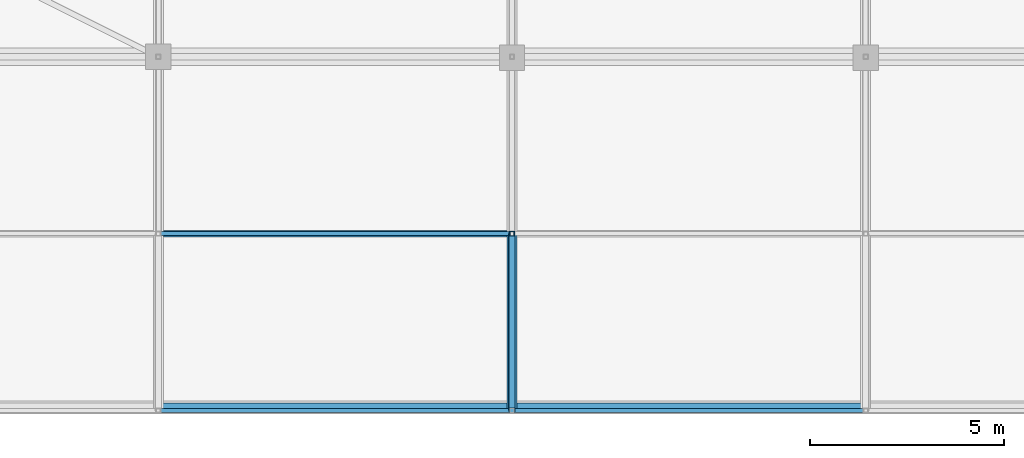
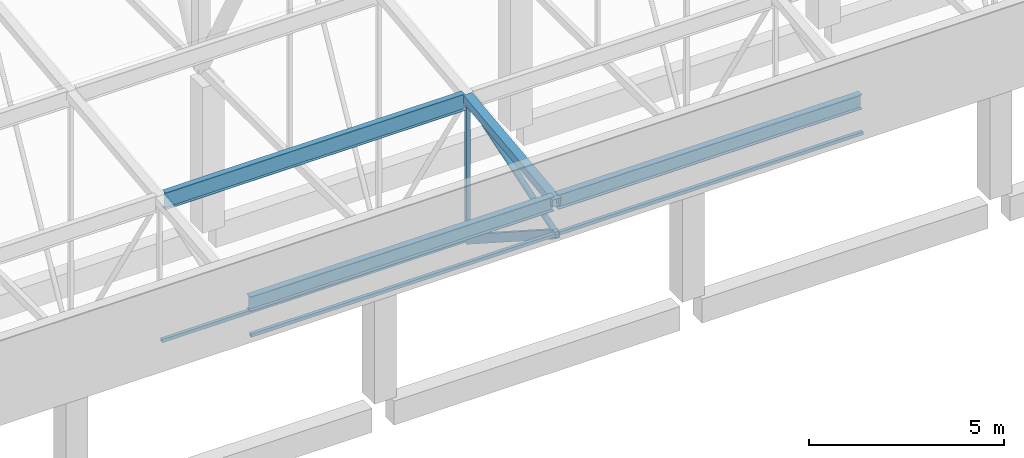
# One storey, part 94 of 500: 10 members.
"""IFC4 building model written with IfcOpenShell, lengths in metres."""

from ifc_helpers import new_model, si_unit, direction, frame, origin, origin_2d, place, context, subcontext, project, spatial, hollow_rectangle, hollow_circle, i_section, extrude, material, material_profile, profile_set, type_object, element, save


model = new_model("IFC4")

# Units and contexts
model_context = context("Model", 3, precision=1e-05, world=origin(), true_north=direction((0.0, 1.0)))
body_context = subcontext(model_context, "Body", "Model", "MODEL_VIEW")
ifc_project = project(units=[si_unit("LENGTHUNIT", "METRE"), si_unit("AREAUNIT", "SQUARE_METRE"), si_unit("VOLUMEUNIT", "CUBIC_METRE"), si_unit("PLANEANGLEUNIT", "RADIAN"), si_unit("MASSUNIT", "GRAM", prefix="KILO")], contexts=[model_context])

# Site, building, storey
site_placement = place(None, origin())
site = spatial("IfcSite", under=ifc_project, at=site_placement, CompositionType="ELEMENT")
building_placement = place(site_placement, origin())
building = spatial("IfcBuilding", under=site, at=building_placement, Name="Shirokan Park Arena", CompositionType="ELEMENT")
storey_placement = place(building_placement, frame((0.0, 0.0, 29.1201171875)))
storey = spatial("IfcBuildingStorey", under=building, at=storey_placement, Name="L06", CompositionType="ELEMENT", Elevation=29.1201171875)

# Members
ifc_material_1 = material(Name="Steel ASTM A500 Grade C", Category="steel")
ifc_material_profile_1 = material_profile(ifc_material_1, hollow_rectangle(XDim=0.152099609375, YDim=0.25390625, WallThickness=0.009521484375, at=origin_2d()), Name="HSS254X152.4X9.5")
ifc_profile_set_1 = profile_set([ifc_material_profile_1], Name="Steel ASTM A500 Grade C")
member_type_1 = type_object("IfcMemberType", Name="Bottom chord HSS254X152.4X9.5", PredefinedType="CHORD", material=ifc_profile_set_1)
member_1_placement = place(storey_placement, frame((63.699951171875, -9.10009765625, 10.531982421875), z_axis=(0.0, 0.840971691661, -0.541079119746), x_axis=(-1.0, 0.0, 0.0)))
element("IfcMember", 1, at=member_1_placement, inside=storey, type_object=member_type_1, Name="Truss T08 bottom chord 1", PredefinedType="CHORD", context=body_context, shape_type="SweptSolid", body=[
    extrude(hollow_rectangle(XDim=0.152099609375, YDim=0.25390625, WallThickness=0.009521484375, at=origin_2d()), origin(), (0.0, 0.0, 1.0), 5.410400390625),
])
ifc_material_profile_2 = material_profile(ifc_material_1, hollow_rectangle(XDim=0.10205078125, YDim=0.10205078125, WallThickness=0.00634765625, at=origin_2d()), Name="HSS101.6X101.6X6.4")
ifc_profile_set_2 = profile_set([ifc_material_profile_2], Name="Steel ASTM A500 Grade C")
member_type_2 = type_object("IfcMemberType", Name="Eave soffit rail HSS101.6X101.6X6.4", PredefinedType="USERDEFINED", material=ifc_profile_set_2)
member_2_placement = place(storey_placement, frame((54.656982421875, -9.10009765625, 10.531982421875), z_axis=(1.0, 0.0, 0.0), x_axis=(0.0, 1.0, 0.0)))
element("IfcMember", 2, at=member_2_placement, inside=storey, type_object=member_type_2, Name="Eave soffit rail S 1 bay 7", ObjectType="EAVE SOFFIT RAIL", PredefinedType="USERDEFINED", context=body_context, shape_type="SweptSolid", body=[
    extrude(hollow_rectangle(XDim=0.10205078125, YDim=0.10205078125, WallThickness=0.00634765625, at=origin_2d()), origin(), (0.0, 0.0, 1.0), 8.986083984375),
])
member_3_placement = place(storey_placement, frame((63.757080078125, -9.10009765625, 10.531982421875), z_axis=(1.0, 0.0, 0.0), x_axis=(0.0, 1.0, 0.0)))
element("IfcMember", 3, at=member_3_placement, inside=storey, type_object=member_type_2, Name="Eave soffit rail S 1 bay 8", ObjectType="EAVE SOFFIT RAIL", PredefinedType="USERDEFINED", context=body_context, shape_type="SweptSolid", body=[
    extrude(hollow_rectangle(XDim=0.10205078125, YDim=0.10205078125, WallThickness=0.00634765625, at=origin_2d()), origin(), (0.0, 0.0, 1.0), 8.98583984375),
])
member_4_placement = place(storey_placement, frame((54.656982421875, -4.550048828125, 7.6044921875), z_axis=(1.0, 0.0, 0.0), x_axis=(0.0, 1.0, 0.0)))
element("IfcMember", 4, at=member_4_placement, inside=storey, type_object=member_type_2, Name="Eave soffit rail S 2 bay 7", ObjectType="EAVE SOFFIT RAIL", PredefinedType="USERDEFINED", context=body_context, shape_type="SweptSolid", body=[
    extrude(hollow_rectangle(XDim=0.10205078125, YDim=0.10205078125, WallThickness=0.00634765625, at=origin_2d()), origin(), (0.0, 0.0, 1.0), 8.986083984375),
])
ifc_material_2 = material(Name="Steel ASTM A992", Category="steel")
ifc_material_profile_3 = material_profile(ifc_material_2, i_section(OverallWidth=0.166015625, OverallDepth=0.528076171875, WebThickness=0.009765625, FlangeThickness=0.013671875, at=origin_2d()), Name="W530X74")
ifc_profile_set_3 = profile_set([ifc_material_profile_3], Name="Steel ASTM A992")
member_type_3 = type_object("IfcMemberType", Name="Purlin W530X74", PredefinedType="PURLIN", material=ifc_profile_set_3)
member_5_placement = place(storey_placement, frame((54.72705078125, -4.550048828125, 11.9658203125), z_axis=(1.0, 0.0, 0.0), x_axis=(0.0, 1.0, 0.0)))
element("IfcMember", 5, at=member_5_placement, inside=storey, type_object=member_type_3, Name="Purlin 2 bay 7", PredefinedType="PURLIN", context=body_context, shape_type="SweptSolid", body=[
    extrude(i_section(OverallWidth=0.166015625, OverallDepth=0.528076171875, WebThickness=0.009765625, FlangeThickness=0.013671875, at=origin_2d()), origin(), (0.0, 0.0, 1.0), 8.845947265625),
])
ifc_material_profile_4 = material_profile(ifc_material_2, i_section(OverallWidth=0.19091796875, OverallDepth=0.45703125, WebThickness=0.009033203125, FlangeThickness=0.014404296875, at=origin_2d()), Name="W460X74")
ifc_profile_set_4 = profile_set([ifc_material_profile_4], Name="Steel ASTM A992")
member_type_4 = type_object("IfcMemberType", Name="Roof edge beam W460X74", PredefinedType="USERDEFINED", material=ifc_profile_set_4)
member_6_placement = place(storey_placement, frame((54.656982421875, -9.00439453125, 11.4814453125), z_axis=(1.0, 0.0, 0.0), x_axis=(0.0, 1.0, 0.0)))
element("IfcMember", 6, at=member_6_placement, inside=storey, type_object=member_type_4, Name="Roof edge beam S 8", ObjectType="ROOF EDGE BEAM", PredefinedType="USERDEFINED", context=body_context, shape_type="SweptSolid", body=[
    extrude(i_section(OverallWidth=0.19091796875, OverallDepth=0.45703125, WebThickness=0.009033203125, FlangeThickness=0.014404296875, at=origin_2d()), origin(), (0.0, 0.0, 1.0), 8.986083984375),
])
member_7_placement = place(storey_placement, frame((63.757080078125, -9.00439453125, 11.4814453125), z_axis=(1.0, 0.0, 0.0), x_axis=(0.0, 1.0, 0.0)))
element("IfcMember", 7, at=member_7_placement, inside=storey, type_object=member_type_4, Name="Roof edge beam S 9", ObjectType="ROOF EDGE BEAM", PredefinedType="USERDEFINED", context=body_context, shape_type="SweptSolid", body=[
    extrude(i_section(OverallWidth=0.19091796875, OverallDepth=0.45703125, WebThickness=0.009033203125, FlangeThickness=0.014404296875, at=origin_2d()), origin(), (0.0, 0.0, 1.0), 8.98583984375),
])
ifc_material_profile_5 = material_profile(ifc_material_1, hollow_rectangle(XDim=0.25390625, YDim=0.25390625, WallThickness=0.009521484375, at=origin_2d()), Name="HSS254X254X9.5")
ifc_profile_set_5 = profile_set([ifc_material_profile_5], Name="Steel ASTM A500 Grade C")
member_type_5 = type_object("IfcMemberType", Name="Top chord HSS254X254X9.5", PredefinedType="CHORD", material=ifc_profile_set_5)
member_8_placement = place(storey_placement, frame((63.699951171875, -9.10009765625, 11.50146484375), z_axis=(0.0, 0.993532328996, 0.113549598152), x_axis=(-1.0, 0.0, 0.0)))
element("IfcMember", 8, at=member_8_placement, inside=storey, type_object=member_type_5, Name="Truss T08 top chord 1", PredefinedType="CHORD", context=body_context, shape_type="SweptSolid", body=[
    extrude(hollow_rectangle(XDim=0.25390625, YDim=0.25390625, WallThickness=0.009521484375, at=origin_2d()), origin(), (0.0, 0.0, 1.0), 4.57958984375),
])
ifc_material_profile_6 = material_profile(ifc_material_1, hollow_circle(Radius=0.083984375, WallThickness=0.009521484375, at=origin_2d()), Name="HSS168.3X9.5")
ifc_profile_set_6 = profile_set([ifc_material_profile_6], Name="Steel ASTM A500 Grade C")
member_type_6 = type_object("IfcMemberType", Name="Truss diagonal HSS168.3X9.5", PredefinedType="BRACE", material=ifc_profile_set_6)
member_9_placement = place(storey_placement, frame((63.699951171875, -9.10009765625, 10.531982421875), z_axis=(0.0, 0.950372733116, 0.311113593644), x_axis=(-1.0, 0.0, 0.0)))
element("IfcMember", 9, at=member_9_placement, inside=storey, type_object=member_type_6, Name="Truss T08 diagonal 1", PredefinedType="BRACE", context=body_context, shape_type="SweptSolid", body=[
    extrude(hollow_circle(Radius=0.083984375, WallThickness=0.009521484375, at=origin_2d()), origin(), (0.0, 0.0, 1.0), 4.78759765625),
])
ifc_material_profile_7 = material_profile(ifc_material_1, hollow_rectangle(XDim=0.114013671875, YDim=0.114013671875, WallThickness=0.00634765625, at=origin_2d()), Name="HSS114.3X114.3X6.4")
ifc_profile_set_7 = profile_set([ifc_material_profile_7], Name="Steel ASTM A500 Grade C")
member_type_7 = type_object("IfcMemberType", Name="Truss post HSS114.3X114.3X6.4", PredefinedType="POST", material=ifc_profile_set_7)
member_10_placement = place(storey_placement, frame((63.699951171875, -4.550048828125, 7.6044921875), z_axis=(0.0, 0.0, 1.0), x_axis=(1.0, 0.0, 0.0)))
element("IfcMember", 10, at=member_10_placement, inside=storey, type_object=member_type_7, Name="Truss T08 post 2", PredefinedType="POST", context=body_context, shape_type="SweptSolid", body=[
    extrude(hollow_rectangle(XDim=0.114013671875, YDim=0.114013671875, WallThickness=0.00634765625, at=origin_2d()), origin(), (0.0, 0.0, 1.0), 4.4169921875),
])

save(model, "model.ifc")
